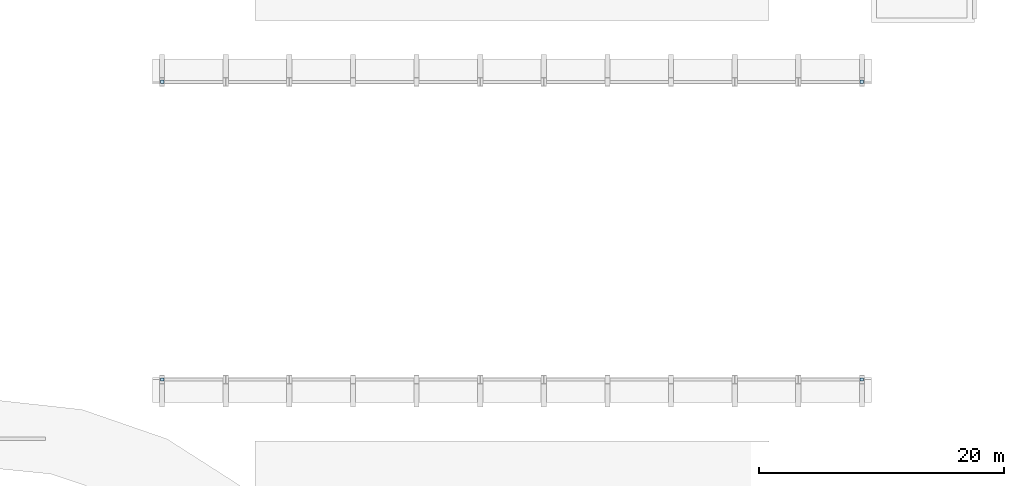
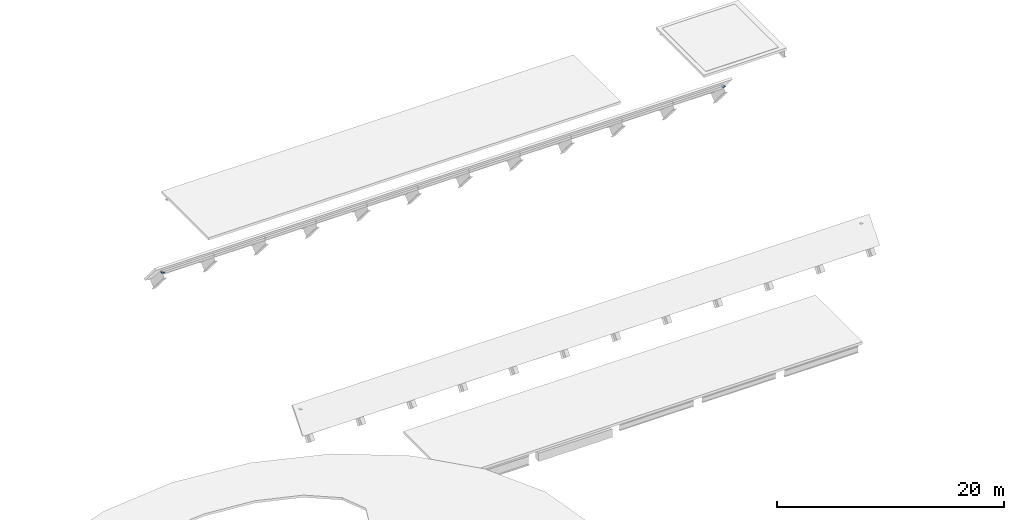
# One storey, part 8 of 13: 4 plates.
"""IFC4 building model written with IfcOpenShell, lengths in metres."""

from ifc_helpers import new_model, si_unit, direction, frame, origin, origin_2d, place, context, subcontext, project, spatial, rectangle, extrude, material, layer, layer_set, type_object, element, save


model = new_model("IFC4")

# Units and contexts
model_context = context("Model", 3, precision=1e-05, world=origin(), true_north=direction((0.0, 1.0)))
body_context = subcontext(model_context, "Body", "Model", "MODEL_VIEW")
ifc_project = project(units=[si_unit("LENGTHUNIT", "METRE"), si_unit("AREAUNIT", "SQUARE_METRE"), si_unit("VOLUMEUNIT", "CUBIC_METRE"), si_unit("PLANEANGLEUNIT", "RADIAN"), si_unit("MASSUNIT", "GRAM", prefix="KILO")], contexts=[model_context])

# Site, building, storey
site_placement = place(None, origin())
site = spatial("IfcSite", under=ifc_project, at=site_placement, CompositionType="ELEMENT")
building_placement = place(site_placement, origin())
building = spatial("IfcBuilding", under=site, at=building_placement, Name="Solvento Point Concert Hall", CompositionType="ELEMENT")
storey_placement = place(building_placement, frame((0.0, 0.0, 23.699951171875)))
storey = spatial("IfcBuildingStorey", under=building, at=storey_placement, Name="L05", CompositionType="ELEMENT", Elevation=23.699951171875)

# Plates
ifc_material = material(Name="Structural Steel ASTM A572 Grade 50", Category="steel")
ifc_layer = layer(ifc_material, 0.02001953125)
ifc_layer_set = layer_set([ifc_layer], Name="Structural Steel ASTM A572 Grade 50")
plate_type = type_object("IfcPlateType", Name="CapPlate_HSS10", PredefinedType="SHEET", material=ifc_layer_set)
for number, where, z_axis, x_axis, name in (
    (1, (75.215087890625, 55.837890625, 2.010009765625), (0.0, 0.0, 1.0), (0.0, 1.0, 0.0), "Hollow purlin end-cap plate PL-20"),
    (2, (75.215087890625, 80.162109375, 2.010009765625), (0.0, 0.0, 1.0), (0.0, 1.0, 0.0), "Hollow purlin end-cap plate PL-20"),
    (3, (132.385009765625, 55.837890625, 2.010009765625), (0.0, 0.0, 1.0), (0.0, 1.0, 0.0), "Hollow purlin end-cap plate PL-20"),
    (4, (132.385009765625, 80.162109375, 2.010009765625), (0.0, 0.0, 1.0), (0.0, 1.0, 0.0), "Hollow purlin end-cap plate PL-20"),
):
    element("IfcPlate", number, at=place(storey_placement, frame(where, z_axis=z_axis, x_axis=x_axis)), inside=storey, type_object=plate_type, Name=name, PredefinedType="SHEET", context=body_context, shape_type="SweptSolid", body=[
        extrude(rectangle(XDim=0.280029296875, YDim=0.280029296875, at=origin_2d()), origin(), (0.0, 0.0, 1.0), 0.02001953125),
    ])

save(model, "model.ifc")
